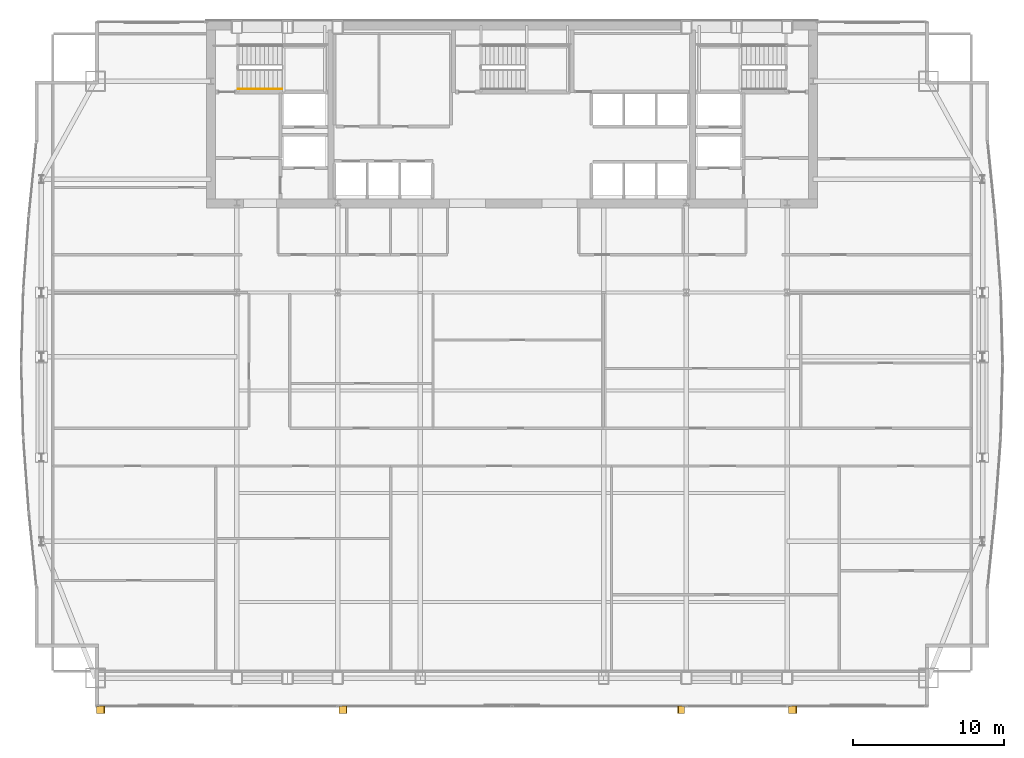
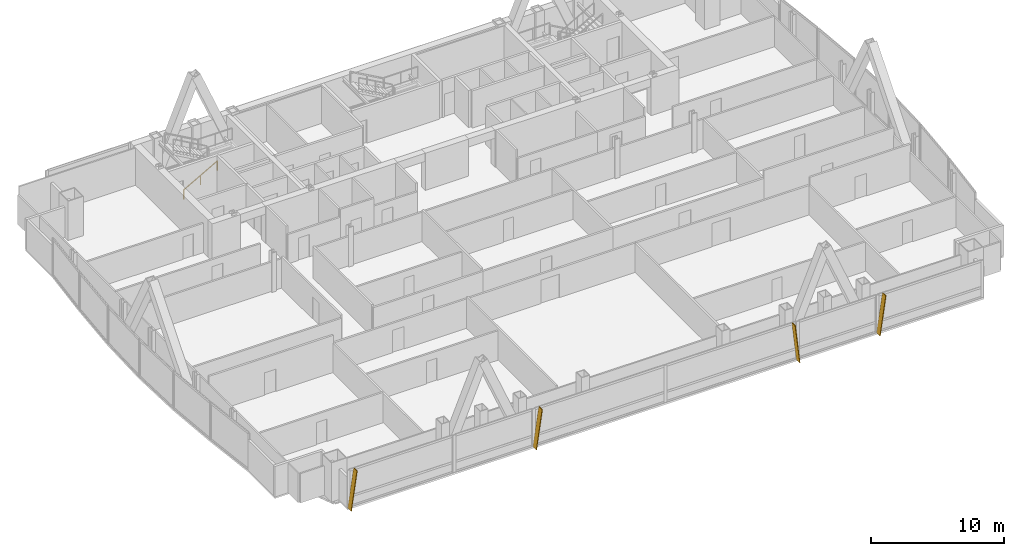
# One storey, part 28 of 29: 4 shading devices, 1 railing.
"""IFC4 building model written with IfcOpenShell, lengths in metres."""

from ifc_helpers import new_model, si_unit, direction, frame, origin, origin_2d, place, context, subcontext, project, spatial, polyline, rectangle, outline, extrude, material, layer, layer_set, type_object, element, save


model = new_model("IFC4")

# Units and contexts
model_context = context("Model", 3, precision=1e-05, world=origin(), true_north=direction((0.0, 1.0)))
body_context = subcontext(model_context, "Body", "Model", "MODEL_VIEW")
ifc_project = project(units=[si_unit("LENGTHUNIT", "METRE"), si_unit("AREAUNIT", "SQUARE_METRE"), si_unit("VOLUMEUNIT", "CUBIC_METRE"), si_unit("PLANEANGLEUNIT", "RADIAN"), si_unit("MASSUNIT", "GRAM", prefix="KILO")], contexts=[model_context])

# Site, building, storey
site_placement = place(None, origin())
site = spatial("IfcSite", under=ifc_project, at=site_placement, CompositionType="ELEMENT")
building_placement = place(site_placement, origin())
building = spatial("IfcBuilding", under=site, at=building_placement, Name="Khoronbel Lancet Exchange", CompositionType="ELEMENT")
storey_placement = place(building_placement, frame((0.0, 0.0, 180.60009765625)))
storey = spatial("IfcBuildingStorey", under=building, at=storey_placement, Name="L45", CompositionType="ELEMENT", Elevation=180.60009765625)

# Railing
ifc_material_1 = material(Name="Brushed Stainless Steel 316", Category="steel")
railing_type = type_object("IfcRailingType", Name="RL-STH92", PredefinedType="HANDRAIL", material=ifc_material_1)
railing_placement = place(storey_placement, frame((18.300048828125, 49.169921875, 0.16357421875)))
element("IfcRailing", 1, at=railing_placement, inside=storey, type_object=railing_type, Name="L45 ST1 stair handrail 1", PredefinedType="HANDRAIL", context=body_context, shape_type="SweptSolid", body=[
    extrude(rectangle(XDim=0.048095703125, YDim=0.048095703125, at=origin_2d()), frame((0.0, 0.0, 0.8759765625), z_axis=(0.870928581787, 0.0, 0.491409610636), x_axis=(0.0, 1.0, 0.0)), (0.0, 0.0, 1.0), 3.32958984375),
    extrude(rectangle(XDim=0.0419921875, YDim=0.0419921875, at=origin_2d()), origin(), (0.0, 0.0, 1.0), 0.851806640625),
    extrude(rectangle(XDim=0.0419921875, YDim=0.0419921875, at=origin_2d()), frame((1.449951171875, 0.0, 0.818115234375)), (0.0, 0.0, 1.0), 0.851806640625),
    extrude(rectangle(XDim=0.0419921875, YDim=0.0419921875, at=origin_2d()), frame((2.89990234375, 0.0, 1.63623046875)), (0.0, 0.0, 1.0), 0.851806640625),
])

# Shading devices
ifc_material_2 = material(Name="Bronze-Anodised Aluminium 6063-T6", Category="aluminium")
ifc_layer = layer(ifc_material_2, 0.054931640625, Name="Bronze-Anodised Aluminium 6063-T6")
ifc_layer_set = layer_set([ifc_layer], Name="Bronze-Anodised Aluminium 6063-T6")
shading_device_type = type_object("IfcShadingDeviceType", Name="SHD-FIN1", PredefinedType="USERDEFINED", material=ifc_layer_set)
for number, where, z_axis, x_axis, name in (
    (2, (8.91259765625, 8.31005859375, -0.080078125), (-0.989869696738, 0.0, 0.141978813487), (0.0, -1.0, 0.0), "Slanted bronze solar fin CW-L45-SWV-0"),
    (3, (24.972412109375, 8.31005859375, -0.080078125), (-0.989860045718, 0.0, 0.142046083686), (0.0, -1.0, 0.0), "Slanted bronze solar fin CW-L45-SCV-0"),
):
    element("IfcShadingDevice", number, at=place(storey_placement, frame(where, z_axis=z_axis, x_axis=x_axis)), inside=storey, type_object=shading_device_type, Name=name, ObjectType="FIN", PredefinedType="USERDEFINED", context=body_context, shape_type="SweptSolid", body=[
        extrude(outline(polyline([(0.0, 0.0), (0.52001953125, 0.0), (0.52001953125, 3.55615234375), (0.0, 3.55615234375), (0.0, 0.0)])), origin(), (0.0, 0.0, -1.0), 0.054931640625),
    ])
shading_device_1_placement = place(storey_placement, frame((47.87255859375, 8.31005859375, -0.080078125), z_axis=(0.993762098476, 0.0, 0.111520812549), x_axis=(0.0, -1.0, 0.0)))
element("IfcShadingDevice", 4, at=shading_device_1_placement, inside=storey, type_object=shading_device_type, Name="Slanted bronze solar fin CW-L45-SCV-2", ObjectType="FIN", PredefinedType="USERDEFINED", context=body_context, shape_type="SweptSolid", body=[
    extrude(outline(polyline([(0.0, 0.0), (0.52001953125, 0.0), (0.52001953125, -3.542236328125), (0.0, -3.542236328125), (0.0, 0.0)])), origin(), (0.0, 0.0, -1.0), 0.054931640625),
])
shading_device_2_placement = place(storey_placement, frame((54.7724609375, 8.31005859375, -0.080078125), z_axis=(-0.989860045718, 0.0, 0.142046083686), x_axis=(0.0, -1.0, 0.0)))
element("IfcShadingDevice", 5, at=shading_device_2_placement, inside=storey, type_object=shading_device_type, Name="Slanted bronze solar fin CW-L45-SEV-0", ObjectType="FIN", PredefinedType="USERDEFINED", context=body_context, shape_type="SweptSolid", body=[
    extrude(outline(polyline([(0.0, 0.0), (0.52001953125, 0.0), (0.52001953125, 3.55615234375), (0.0, 3.55615234375), (0.0, 0.0)])), origin(), (0.0, 0.0, -1.0), 0.054931640625),
])

save(model, "model.ifc")
